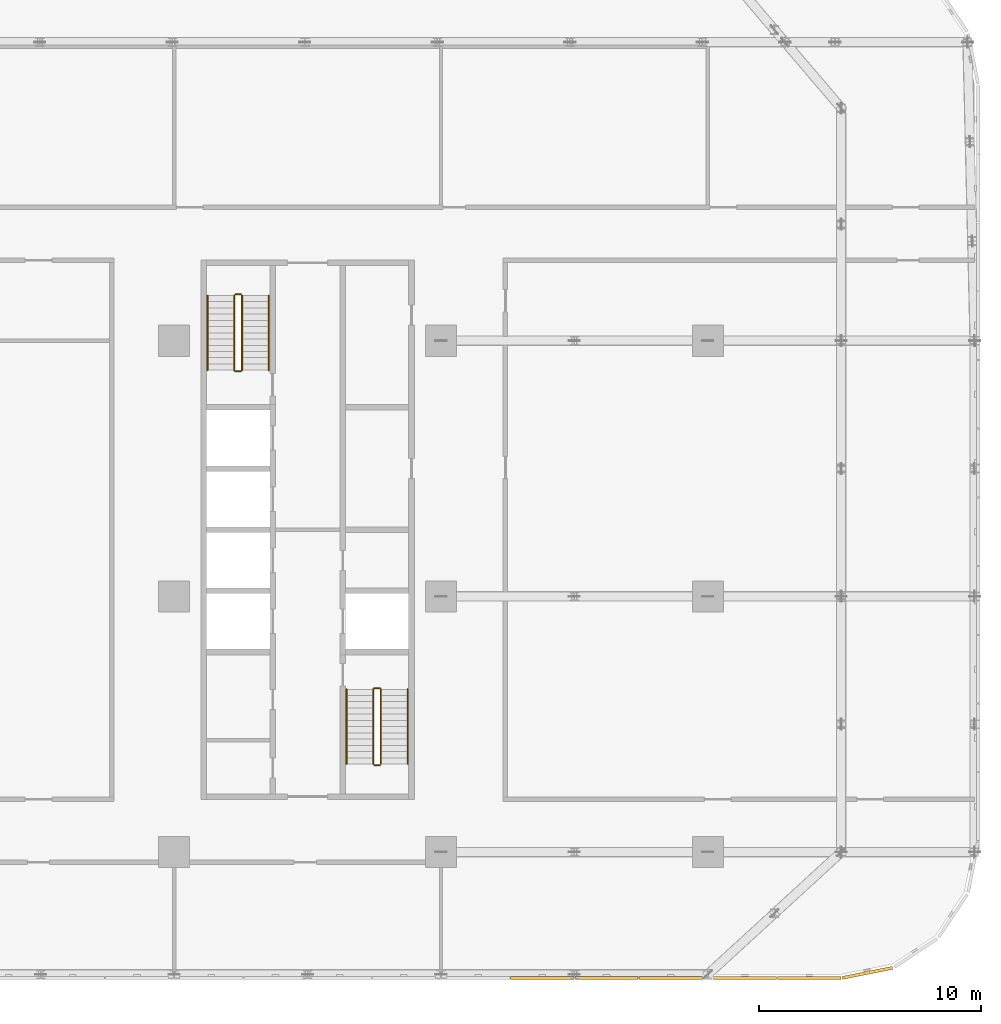
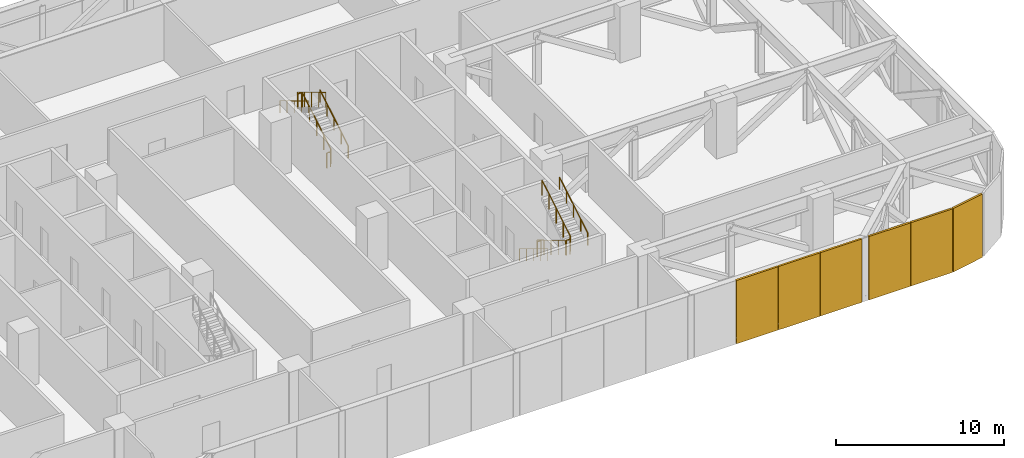
# One storey, part 25 of 26: 12 railings, 6 coverings.
"""IFC4 building model written with IfcOpenShell, lengths in metres."""

import ifcopenshell
import ifcopenshell.guid

model = None  # the IFC model being written
_history = None  # IfcOwnerHistory: only IFC2X3 demands one
_inside = {}  # id of a spatial element -> (the spatial element, [elements in it])
_under = {}  # id of a project, library or spatial element -> (it, [spatial elements below it])
_declared = {}  # id of a project -> (the project, [libraries it declares])
_typed = {}  # id of a type object -> (the type object, [elements of that type])
_made_of = {}  # id of a material, layer set ... -> (it, [elements and type objects made of it])


def new_model(schema):
    """Start an empty IFC model of exactly this schema.

    Asked for "IFC4X3", IfcOpenShell would pick the latest addendum, in which some entities
    have other attributes; the version numbers below select the first issue.
    IFC2X3 requires an IfcOwnerHistory on every rooted entity: one is made here for all.
    """
    global model, _history
    if schema == "IFC4X3":
        model = ifcopenshell.file(schema_version=(4, 3, 0, 0))
    else:
        model = ifcopenshell.file(schema=schema)
    _inside.clear()
    _under.clear()
    _declared.clear()
    _typed.clear()
    _made_of.clear()
    _history = None
    if model.schema == "IFC2X3":
        org = make("IfcOrganization", Name="unknown")
        user = make(
            "IfcPersonAndOrganization",
            ThePerson=make("IfcPerson", FamilyName="unknown"),
            TheOrganization=org,
        )
        app = make(
            "IfcApplication",
            ApplicationDeveloper=org,
            Version="unknown",
            ApplicationFullName="unknown",
            ApplicationIdentifier="unknown",
        )
        _history = make(
            "IfcOwnerHistory",
            OwningUser=user,
            OwningApplication=app,
            ChangeAction="ADDED",
            CreationDate=0,
        )
    return model


def make(cls, **values):
    """One entity of the class cls with the attributes given. An attribute that is None is left unset."""
    return model.create_entity(
        cls, **{name: value for name, value in values.items() if value is not None}
    )


def rooted(cls, **values):
    """An entity with a GlobalId (a new one), such as an element, a storey or a relation."""
    return make(cls, GlobalId=ifcopenshell.guid.new(), OwnerHistory=_history, **values)


def si_unit(unit_type, name, prefix=None):
    """IfcSIUnit, for example si_unit("LENGTHUNIT", "METRE", prefix="MILLI")."""
    return make("IfcSIUnit", UnitType=unit_type, Prefix=prefix, Name=name)


def assignment(units):
    """IfcUnitAssignment: the units of a project."""
    return None if units is None else make("IfcUnitAssignment", Units=units)


def point(xyz):
    """IfcCartesianPoint."""
    return None if xyz is None else make("IfcCartesianPoint", Coordinates=xyz)


def direction(xyz):
    """IfcDirection."""
    return None if xyz is None else make("IfcDirection", DirectionRatios=xyz)


def frame(location, z_axis=None, x_axis=None):
    """IfcAxis2Placement3D, a coordinate frame: its origin and axes. An axis left out is left unset."""
    return make(
        "IfcAxis2Placement3D",
        Location=point(location),
        Axis=direction(z_axis),
        RefDirection=direction(x_axis),
    )


def frame_2d(location, x_axis=None):
    """IfcAxis2Placement2D, a coordinate frame in the plane: its origin and x axis."""
    return make(
        "IfcAxis2Placement2D", Location=point(location), RefDirection=direction(x_axis)
    )


def origin():
    """The frame at (0, 0, 0) with its axes left unset."""
    return frame((0.0, 0.0, 0.0))


def origin_2d():
    """The frame at (0, 0) in the plane with its x axis left unset."""
    return frame_2d((0.0, 0.0))


def place(relative_to, where):
    """IfcLocalPlacement: puts the frame where relative to a parent placement (None: the world)."""
    return make(
        "IfcLocalPlacement", PlacementRelTo=relative_to, RelativePlacement=where
    )


def context(
    kind, dimensions, precision=None, world=None, true_north=None, identifier=None
):
    """IfcGeometricRepresentationContext, for example the 3D "Model" context."""
    return make(
        "IfcGeometricRepresentationContext",
        ContextIdentifier=identifier,
        ContextType=kind,
        CoordinateSpaceDimension=dimensions,
        Precision=precision,
        WorldCoordinateSystem=world,
        TrueNorth=true_north,
    )


def subcontext(parent, identifier, kind, view, scale=None):
    """IfcGeometricRepresentationSubContext, for example "Body" below "Model"."""
    return make(
        "IfcGeometricRepresentationSubContext",
        ContextIdentifier=identifier,
        ContextType=kind,
        ParentContext=parent,
        TargetScale=scale,
        TargetView=view,
    )


def project(units=None, contexts=None):
    """IfcProject with its units and contexts."""
    return rooted(
        "IfcProject",
        Name="project",
        RepresentationContexts=contexts,
        UnitsInContext=assignment(units),
    )


def spatial(cls, under=None, at=None, **own):
    """A site, building, storey or space (cls), placed at a placement, below another one or the project."""
    s = rooted(cls, ObjectPlacement=at, **own)
    if under is not None:
        _under.setdefault(under.id(), (under, []))[1].append(s)
    return s


def profile(cls, at=None, kind="AREA", **sizes):
    """A parametric profile (cls). Its sizes go by their IFC names, for example OverallWidth=200.0."""
    return make(cls, ProfileType=kind, Position=at, **sizes)


def rectangle(**sizes):
    """IfcRectangleProfileDef."""
    return profile("IfcRectangleProfileDef", **sizes)


def circle(**sizes):
    """IfcCircleProfileDef."""
    return profile("IfcCircleProfileDef", **sizes)


def extrude(swept, where, along, depth):
    """IfcExtrudedAreaSolid: the profile swept, set in the frame where, extruded along a direction by depth."""
    return make(
        "IfcExtrudedAreaSolid",
        SweptArea=swept,
        Position=where,
        ExtrudedDirection=direction(along),
        Depth=depth,
    )


def shape(context_of_items, identifier, shape_type, items):
    """IfcShapeRepresentation: the items that make up one representation, for example the "Body"."""
    return make(
        "IfcShapeRepresentation",
        ContextOfItems=context_of_items,
        RepresentationIdentifier=identifier,
        RepresentationType=shape_type,
        Items=items,
    )


def material(Name=None, Category=None):
    """IfcMaterial."""
    return make("IfcMaterial", Name=Name, Category=Category)


def made_of(thing, what):
    """Note that an element or type object is made of a material, layer set ...; save() writes the relation."""
    if what is not None:
        _made_of.setdefault(what.id(), (what, []))[1].append(thing)
    return thing


def type_object(cls, material=None, **own):
    """A type object (cls), such as IfcWallType, which elements share."""
    return made_of(rooted(cls, **own), material)


def element(
    cls,
    number,
    at=None,
    inside=None,
    cuts=None,
    type_object=None,
    material=None,
    context=None,
    identifier="Body",
    shape_type=None,
    held_by="IfcProductDefinitionShape",
    body=None,
    shapes=None,
    **own,
):
    """One element of the class cls, such as IfcWall. Its Tag is "e" and its number.

    at: its placement. inside: the storey or other place that contains it. cuts: it is an
    opening in that element (IfcRelVoidsElement). A single representation is given by context,
    identifier, shape_type and body (its items); several are given by shapes. held_by: the class
    of the entity that holds the representations. save() writes the other relations.
    """
    e = rooted(cls, Tag="e%d" % number, ObjectPlacement=at, **own)
    if body is not None:
        shapes = [shape(context, identifier, shape_type, body)]
    if shapes is not None:
        e.Representation = make(held_by, Representations=shapes)
    if inside is not None:
        _inside.setdefault(inside.id(), (inside, []))[1].append(e)
    if cuts is not None:
        rooted(
            "IfcRelVoidsElement", RelatingBuildingElement=cuts, RelatedOpeningElement=e
        )
    if type_object is not None:
        _typed.setdefault(type_object.id(), (type_object, []))[1].append(e)
    return made_of(e, material)


def aggregate(whole, parts):
    """IfcRelAggregates: a whole, such as a stair, and the parts it consists of."""
    return rooted("IfcRelAggregates", RelatingObject=whole, RelatedObjects=parts)


def save(model, path):
    """Write the relations noted so far, then the file.

    IfcRelAggregates (storeys below a building ...), IfcRelContainedInSpatialStructure (elements
    in a storey), IfcRelDefinesByType, IfcRelAssociatesMaterial and IfcRelDeclares: one each for
    every whole, place, type object, material and project.
    """
    for whole, parts in _under.values():
        aggregate(whole, parts)
    for where, things in _inside.values():
        rooted(
            "IfcRelContainedInSpatialStructure",
            RelatedElements=things,
            RelatingStructure=where,
        )
    for kind, things in _typed.values():
        rooted("IfcRelDefinesByType", RelatedObjects=things, RelatingType=kind)
    for what, things in _made_of.values():
        rooted("IfcRelAssociatesMaterial", RelatedObjects=things, RelatingMaterial=what)
    for by, libraries in _declared.values():
        rooted("IfcRelDeclares", RelatingContext=by, RelatedDefinitions=libraries)
    model.write(path)


model = new_model("IFC4")

# Units and contexts
model_context = context("Model", 3, precision=1e-05, world=origin(), true_north=direction((0.0, 1.0)))
body_context = subcontext(model_context, "Body", "Model", "MODEL_VIEW")
ifc_project = project(units=[si_unit("LENGTHUNIT", "METRE"), si_unit("AREAUNIT", "SQUARE_METRE"), si_unit("VOLUMEUNIT", "CUBIC_METRE"), si_unit("PLANEANGLEUNIT", "RADIAN"), si_unit("MASSUNIT", "GRAM", prefix="KILO")], contexts=[model_context])

# Site, building, storey
site_placement = place(None, origin())
site = spatial("IfcSite", under=ifc_project, at=site_placement, CompositionType="ELEMENT")
building_placement = place(site_placement, origin())
building = spatial("IfcBuilding", under=site, at=building_placement, Name="Mahtab Terrace Research Tower", CompositionType="ELEMENT")
storey_placement = place(building_placement, frame((0.0, 0.0, 117.60009765625)))
storey = spatial("IfcBuildingStorey", under=building, at=storey_placement, Name="L27", CompositionType="ELEMENT", Elevation=117.60009765625)

# Coverings
ifc_material_1 = material(Name="Natural anodised aluminium", Category="aluminium")
covering_type = type_object("IfcCoveringType", Name="Plant storey louvre bay", PredefinedType="CLADDING", material=ifc_material_1)
for number, where, z_axis, x_axis, name in (
    (1, (43.6708984375, -17.159912109375, -0.55029296875), (0.0, 0.0, 1.0), (1.0, 0.0, 0.0), "Louvre bay L27 1"),
    (2, (46.556884765625, -17.159912109375, -0.55029296875), (0.0, 0.0, 1.0), (1.0, 0.0, 0.0), "Louvre bay L27 2"),
):
    element("IfcCovering", number, at=place(storey_placement, frame(where, z_axis=z_axis, x_axis=x_axis)), inside=storey, type_object=covering_type, Name=name, PredefinedType="CLADDING", context=body_context, shape_type="SweptSolid", body=[
        extrude(rectangle(XDim=2.845947265625, YDim=0.139892578125, at=origin_2d()), origin(), (0.0, 0.0, 1.0), 4.610107421875),
    ])
covering_placement = place(storey_placement, frame((49.17919921875, -16.928466796875, -0.55029296875), z_axis=(0.0, 0.0, 1.0), x_axis=(0.980760981187, 0.195212442692, 0.0)))
element("IfcCovering", 3, at=covering_placement, inside=storey, type_object=covering_type, Name="Louvre bay L27 3", PredefinedType="CLADDING", context=body_context, shape_type="SweptSolid", body=[
    extrude(rectangle(XDim=2.301025390625, YDim=0.139892578125, at=origin_2d()), origin(), (0.0, 0.0, 1.0), 4.610107421875),
])
for number, where, z_axis, x_axis, name in (
    (4, (34.556884765625, -17.159912109375, -0.55029296875), (0.0, 0.0, 1.0), (1.0, 0.0, 0.0), "Louvre bay L27 97"),
    (5, (37.443115234375, -17.159912109375, -0.55029296875), (0.0, 0.0, 1.0), (1.0, 0.0, 0.0), "Louvre bay L27 98"),
    (6, (40.3291015625, -17.159912109375, -0.55029296875), (0.0, 0.0, 1.0), (1.0, 0.0, 0.0), "Louvre bay L27 99"),
):
    element("IfcCovering", number, at=place(storey_placement, frame(where, z_axis=z_axis, x_axis=x_axis)), inside=storey, type_object=covering_type, Name=name, PredefinedType="CLADDING", context=body_context, shape_type="SweptSolid", body=[
        extrude(rectangle(XDim=2.845947265625, YDim=0.139892578125, at=origin_2d()), origin(), (0.0, 0.0, 1.0), 4.610107421875),
    ])

# Railings
ifc_material_2 = material(Name="Stainless steel AISI 304", Category="steel")
railing_type_1 = type_object("IfcRailingType", Name="Stair guard 1100", PredefinedType="GUARDRAIL", material=ifc_material_2)
railing_1_placement = place(storey_placement, frame((21.050048828125, 10.175048828125, 0.169189453125)))
element("IfcRailing", 7, at=railing_1_placement, inside=storey, type_object=railing_type_1, Name="L27 ST3 stair guard 1", PredefinedType="GUARDRAIL", context=body_context, shape_type="SweptSolid", body=[
    extrude(circle(Radius=0.02392578125, at=origin_2d()), frame((0.0, 0.0, 1.076171875), z_axis=(0.0, 0.855820338506, 0.51727318527), x_axis=(-1.0, 0.0, 0.0)), (0.0, 0.0, 1.0), 3.92578125),
    extrude(circle(Radius=0.02099609375, at=origin_2d()), origin(), (0.0, 0.0, 1.0), 1.052001953125),
    extrude(circle(Radius=0.02099609375, at=origin_2d()), frame((0.0, 0.83984375, 0.5078125)), (0.0, 0.0, 1.0), 1.052001953125),
    extrude(circle(Radius=0.02099609375, at=origin_2d()), frame((0.0, 1.679931640625, 1.015380859375)), (0.0, 0.0, 1.0), 1.052001953125),
    extrude(circle(Radius=0.02099609375, at=origin_2d()), frame((0.0, 2.52001953125, 1.52294921875)), (0.0, 0.0, 1.0), 1.052001953125),
    extrude(circle(Radius=0.02099609375, at=origin_2d()), frame((0.0, 3.35986328125, 2.03076171875)), (0.0, 0.0, 1.0), 1.052001953125),
])
railing_2_placement = place(storey_placement, frame((21.0, 13.5849609375, 2.199951171875)))
element("IfcRailing", 8, at=railing_2_placement, inside=storey, type_object=railing_type_1, Name="L27 ST3 stair guard 2", PredefinedType="GUARDRAIL", context=body_context, shape_type="SweptSolid", body=[
    extrude(circle(Radius=0.02392578125, at=origin_2d()), frame((0.0, 0.0, 1.076171875), z_axis=(-1.0, 0.0, 0.0), x_axis=(0.0, -1.0, 0.0)), (0.0, 0.0, 1.0), 0.25),
    extrude(circle(Radius=0.02099609375, at=origin_2d()), origin(), (0.0, 0.0, 1.0), 1.052001953125),
    extrude(circle(Radius=0.02099609375, at=origin_2d()), frame((-0.25, 0.0, 0.0)), (0.0, 0.0, 1.0), 1.052001953125),
])
railing_3_placement = place(storey_placement, frame((20.699951171875, 13.534912109375, 2.369140625)))
element("IfcRailing", 9, at=railing_3_placement, inside=storey, type_object=railing_type_1, Name="L27 ST3 stair guard 3", PredefinedType="GUARDRAIL", context=body_context, shape_type="SweptSolid", body=[
    extrude(circle(Radius=0.02392578125, at=origin_2d()), frame((0.0, 0.0, 1.076171875), z_axis=(0.0, -0.855820338506, 0.51727318527), x_axis=(1.0, 0.0, 0.0)), (0.0, 0.0, 1.0), 3.92578125),
    extrude(circle(Radius=0.02099609375, at=origin_2d()), origin(), (0.0, 0.0, 1.0), 1.052001953125),
    extrude(circle(Radius=0.02099609375, at=origin_2d()), frame((0.0, -0.83984375, 0.5078125)), (0.0, 0.0, 1.0), 1.052001953125),
    extrude(circle(Radius=0.02099609375, at=origin_2d()), frame((0.0, -1.679931640625, 1.015380859375)), (0.0, 0.0, 1.0), 1.052001953125),
    extrude(circle(Radius=0.02099609375, at=origin_2d()), frame((0.0, -2.52001953125, 1.52294921875)), (0.0, 0.0, 1.0), 1.052001953125),
    extrude(circle(Radius=0.02099609375, at=origin_2d()), frame((0.0, -3.35986328125, 2.03076171875)), (0.0, 0.0, 1.0), 1.052001953125),
])
railing_4_placement = place(storey_placement, frame((21.0, 10.125, 0.0)))
element("IfcRailing", 10, at=railing_4_placement, inside=storey, type_object=railing_type_1, Name="L27 ST3 stair guard 4", PredefinedType="GUARDRAIL", context=body_context, shape_type="SweptSolid", body=[
    extrude(circle(Radius=0.02392578125, at=origin_2d()), frame((0.0, 0.0, 1.076171875), z_axis=(-1.0, 0.0, 0.0), x_axis=(0.0, -1.0, 0.0)), (0.0, 0.0, 1.0), 0.25),
    extrude(circle(Radius=0.02099609375, at=origin_2d()), origin(), (0.0, 0.0, 1.0), 1.052001953125),
    extrude(circle(Radius=0.02099609375, at=origin_2d()), frame((-0.25, 0.0, 0.0)), (0.0, 0.0, 1.0), 1.052001953125),
])
railing_5_placement = place(storey_placement, frame((26.949951171875, -4.175048828125, 0.169189453125)))
element("IfcRailing", 11, at=railing_5_placement, inside=storey, type_object=railing_type_1, Name="L27 ST4 stair guard 1", PredefinedType="GUARDRAIL", context=body_context, shape_type="SweptSolid", body=[
    extrude(circle(Radius=0.02392578125, at=origin_2d()), frame((0.0, 0.0, 1.076171875), z_axis=(0.0, -0.855820338506, 0.51727318527), x_axis=(1.0, 0.0, 0.0)), (0.0, 0.0, 1.0), 3.92578125),
    extrude(circle(Radius=0.02099609375, at=origin_2d()), origin(), (0.0, 0.0, 1.0), 1.052001953125),
    extrude(circle(Radius=0.02099609375, at=origin_2d()), frame((0.0, -0.83984375, 0.5078125)), (0.0, 0.0, 1.0), 1.052001953125),
    extrude(circle(Radius=0.02099609375, at=origin_2d()), frame((0.0, -1.679931640625, 1.015380859375)), (0.0, 0.0, 1.0), 1.052001953125),
    extrude(circle(Radius=0.02099609375, at=origin_2d()), frame((0.0, -2.52001953125, 1.52294921875)), (0.0, 0.0, 1.0), 1.052001953125),
    extrude(circle(Radius=0.02099609375, at=origin_2d()), frame((0.0, -3.35986328125, 2.03076171875)), (0.0, 0.0, 1.0), 1.052001953125),
])
railing_6_placement = place(storey_placement, frame((27.0, -7.5849609375, 2.199951171875)))
element("IfcRailing", 12, at=railing_6_placement, inside=storey, type_object=railing_type_1, Name="L27 ST4 stair guard 2", PredefinedType="GUARDRAIL", context=body_context, shape_type="SweptSolid", body=[
    extrude(circle(Radius=0.02392578125, at=origin_2d()), frame((0.0, 0.0, 1.076171875), z_axis=(1.0, 0.0, 0.0), x_axis=(0.0, 1.0, 0.0)), (0.0, 0.0, 1.0), 0.25),
    extrude(circle(Radius=0.02099609375, at=origin_2d()), origin(), (0.0, 0.0, 1.0), 1.052001953125),
    extrude(circle(Radius=0.02099609375, at=origin_2d()), frame((0.25, 0.0, 0.0)), (0.0, 0.0, 1.0), 1.052001953125),
])
railing_7_placement = place(storey_placement, frame((27.300048828125, -7.534912109375, 2.369140625)))
element("IfcRailing", 13, at=railing_7_placement, inside=storey, type_object=railing_type_1, Name="L27 ST4 stair guard 3", PredefinedType="GUARDRAIL", context=body_context, shape_type="SweptSolid", body=[
    extrude(circle(Radius=0.02392578125, at=origin_2d()), frame((0.0, 0.0, 1.076171875), z_axis=(0.0, 0.855820338506, 0.51727318527), x_axis=(-1.0, 0.0, 0.0)), (0.0, 0.0, 1.0), 3.92578125),
    extrude(circle(Radius=0.02099609375, at=origin_2d()), origin(), (0.0, 0.0, 1.0), 1.052001953125),
    extrude(circle(Radius=0.02099609375, at=origin_2d()), frame((0.0, 0.83984375, 0.5078125)), (0.0, 0.0, 1.0), 1.052001953125),
    extrude(circle(Radius=0.02099609375, at=origin_2d()), frame((0.0, 1.679931640625, 1.015380859375)), (0.0, 0.0, 1.0), 1.052001953125),
    extrude(circle(Radius=0.02099609375, at=origin_2d()), frame((0.0, 2.52001953125, 1.52294921875)), (0.0, 0.0, 1.0), 1.052001953125),
    extrude(circle(Radius=0.02099609375, at=origin_2d()), frame((0.0, 3.35986328125, 2.03076171875)), (0.0, 0.0, 1.0), 1.052001953125),
])
railing_8_placement = place(storey_placement, frame((27.0, -4.125, 0.0)))
element("IfcRailing", 14, at=railing_8_placement, inside=storey, type_object=railing_type_1, Name="L27 ST4 stair guard 4", PredefinedType="GUARDRAIL", context=body_context, shape_type="SweptSolid", body=[
    extrude(circle(Radius=0.02392578125, at=origin_2d()), frame((0.0, 0.0, 1.076171875), z_axis=(1.0, 0.0, 0.0), x_axis=(0.0, 1.0, 0.0)), (0.0, 0.0, 1.0), 0.25),
    extrude(circle(Radius=0.02099609375, at=origin_2d()), origin(), (0.0, 0.0, 1.0), 1.052001953125),
    extrude(circle(Radius=0.02099609375, at=origin_2d()), frame((0.25, 0.0, 0.0)), (0.0, 0.0, 1.0), 1.052001953125),
])
railing_type_2 = type_object("IfcRailingType", Name="Stair handrail 900", PredefinedType="HANDRAIL", material=ifc_material_2)
railing_9_placement = place(storey_placement, frame((22.25, 10.175048828125, 0.169189453125)))
element("IfcRailing", 15, at=railing_9_placement, inside=storey, type_object=railing_type_2, Name="L27 ST3 stair handrail 1", PredefinedType="HANDRAIL", context=body_context, shape_type="SweptSolid", body=[
    extrude(circle(Radius=0.02392578125, at=origin_2d()), frame((0.0, 0.0, 0.8759765625), z_axis=(0.0, 0.855820338506, 0.51727318527), x_axis=(-1.0, 0.0, 0.0)), (0.0, 0.0, 1.0), 3.92578125),
    extrude(circle(Radius=0.02099609375, at=origin_2d()), origin(), (0.0, 0.0, 1.0), 0.851806640625),
    extrude(circle(Radius=0.02099609375, at=origin_2d()), frame((0.0, 0.83984375, 0.5078125)), (0.0, 0.0, 1.0), 0.851806640625),
    extrude(circle(Radius=0.02099609375, at=origin_2d()), frame((0.0, 1.679931640625, 1.015380859375)), (0.0, 0.0, 1.0), 0.851806640625),
    extrude(circle(Radius=0.02099609375, at=origin_2d()), frame((0.0, 2.52001953125, 1.52294921875)), (0.0, 0.0, 1.0), 0.851806640625),
    extrude(circle(Radius=0.02099609375, at=origin_2d()), frame((0.0, 3.35986328125, 2.03076171875)), (0.0, 0.0, 1.0), 0.851806640625),
])
for number, where, name in (
    (16, (19.5, 13.534912109375, 2.369140625), "L27 ST3 stair handrail 2"),
    (17, (25.75, -4.175048828125, 0.169189453125), "L27 ST4 stair handrail 1"),
):
    element("IfcRailing", number, at=place(storey_placement, frame(where)), inside=storey, type_object=railing_type_2, Name=name, PredefinedType="HANDRAIL", context=body_context, shape_type="SweptSolid", body=[
        extrude(circle(Radius=0.02392578125, at=origin_2d()), frame((0.0, 0.0, 0.8759765625), z_axis=(0.0, -0.855820338506, 0.51727318527), x_axis=(1.0, 0.0, 0.0)), (0.0, 0.0, 1.0), 3.92578125),
        extrude(circle(Radius=0.02099609375, at=origin_2d()), origin(), (0.0, 0.0, 1.0), 0.851806640625),
        extrude(circle(Radius=0.02099609375, at=origin_2d()), frame((0.0, -0.83984375, 0.5078125)), (0.0, 0.0, 1.0), 0.851806640625),
        extrude(circle(Radius=0.02099609375, at=origin_2d()), frame((0.0, -1.679931640625, 1.015380859375)), (0.0, 0.0, 1.0), 0.851806640625),
        extrude(circle(Radius=0.02099609375, at=origin_2d()), frame((0.0, -2.52001953125, 1.52294921875)), (0.0, 0.0, 1.0), 0.851806640625),
        extrude(circle(Radius=0.02099609375, at=origin_2d()), frame((0.0, -3.35986328125, 2.03076171875)), (0.0, 0.0, 1.0), 0.851806640625),
    ])
railing_10_placement = place(storey_placement, frame((28.5, -7.534912109375, 2.369140625)))
element("IfcRailing", 18, at=railing_10_placement, inside=storey, type_object=railing_type_2, Name="L27 ST4 stair handrail 2", PredefinedType="HANDRAIL", context=body_context, shape_type="SweptSolid", body=[
    extrude(circle(Radius=0.02392578125, at=origin_2d()), frame((0.0, 0.0, 0.8759765625), z_axis=(0.0, 0.855820338506, 0.51727318527), x_axis=(-1.0, 0.0, 0.0)), (0.0, 0.0, 1.0), 3.92578125),
    extrude(circle(Radius=0.02099609375, at=origin_2d()), origin(), (0.0, 0.0, 1.0), 0.851806640625),
    extrude(circle(Radius=0.02099609375, at=origin_2d()), frame((0.0, 0.83984375, 0.5078125)), (0.0, 0.0, 1.0), 0.851806640625),
    extrude(circle(Radius=0.02099609375, at=origin_2d()), frame((0.0, 1.679931640625, 1.015380859375)), (0.0, 0.0, 1.0), 0.851806640625),
    extrude(circle(Radius=0.02099609375, at=origin_2d()), frame((0.0, 2.52001953125, 1.52294921875)), (0.0, 0.0, 1.0), 0.851806640625),
    extrude(circle(Radius=0.02099609375, at=origin_2d()), frame((0.0, 3.35986328125, 2.03076171875)), (0.0, 0.0, 1.0), 0.851806640625),
])

save(model, "model.ifc")
